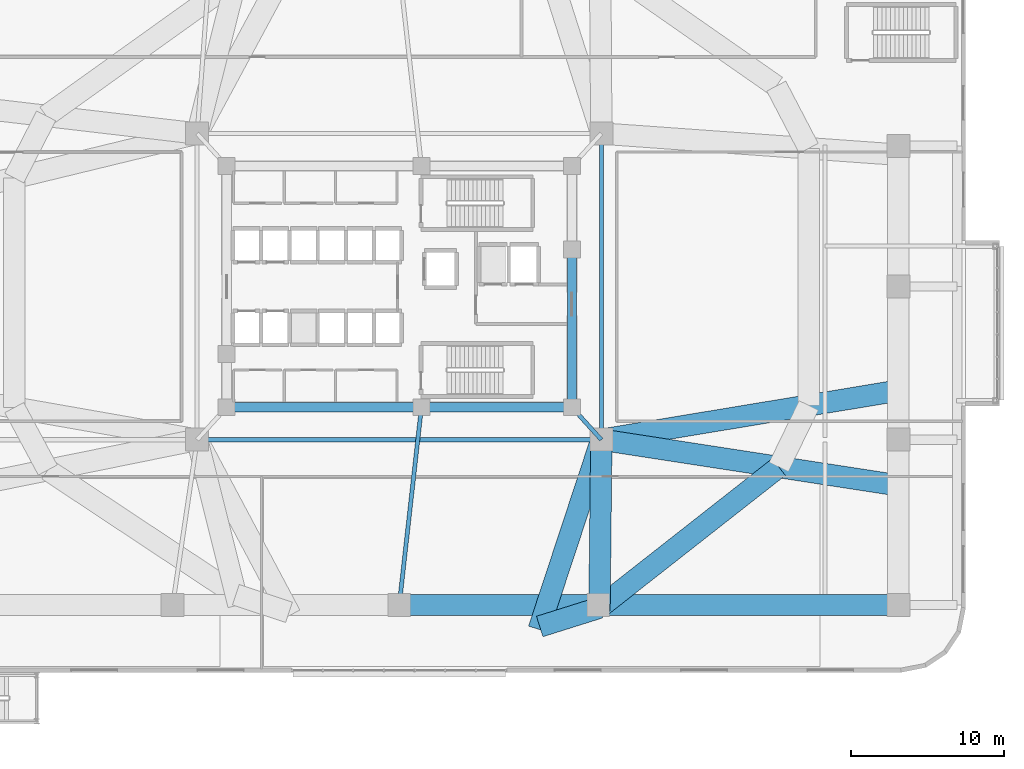
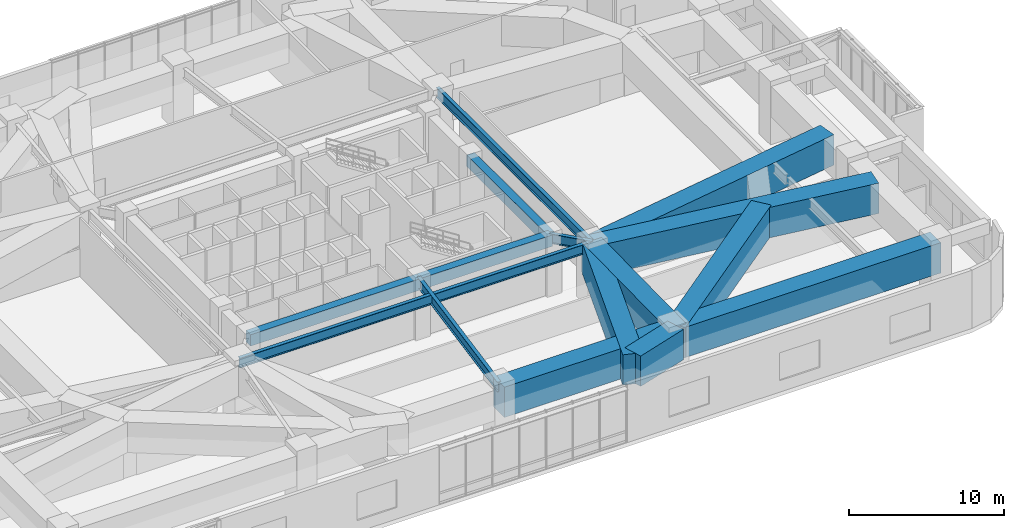
# One storey, part 6 of 26: 15 beams.
"""IFC4 building model written with IfcOpenShell, lengths in metres."""

import ifcopenshell
import ifcopenshell.guid

model = None  # the IFC model being written
_history = None  # IfcOwnerHistory: only IFC2X3 demands one
_inside = {}  # id of a spatial element -> (the spatial element, [elements in it])
_under = {}  # id of a project, library or spatial element -> (it, [spatial elements below it])
_declared = {}  # id of a project -> (the project, [libraries it declares])
_typed = {}  # id of a type object -> (the type object, [elements of that type])
_made_of = {}  # id of a material, layer set ... -> (it, [elements and type objects made of it])


def new_model(schema):
    """Start an empty IFC model of exactly this schema.

    Asked for "IFC4X3", IfcOpenShell would pick the latest addendum, in which some entities
    have other attributes; the version numbers below select the first issue.
    IFC2X3 requires an IfcOwnerHistory on every rooted entity: one is made here for all.
    """
    global model, _history
    if schema == "IFC4X3":
        model = ifcopenshell.file(schema_version=(4, 3, 0, 0))
    else:
        model = ifcopenshell.file(schema=schema)
    _inside.clear()
    _under.clear()
    _declared.clear()
    _typed.clear()
    _made_of.clear()
    _history = None
    if model.schema == "IFC2X3":
        org = make("IfcOrganization", Name="unknown")
        user = make(
            "IfcPersonAndOrganization",
            ThePerson=make("IfcPerson", FamilyName="unknown"),
            TheOrganization=org,
        )
        app = make(
            "IfcApplication",
            ApplicationDeveloper=org,
            Version="unknown",
            ApplicationFullName="unknown",
            ApplicationIdentifier="unknown",
        )
        _history = make(
            "IfcOwnerHistory",
            OwningUser=user,
            OwningApplication=app,
            ChangeAction="ADDED",
            CreationDate=0,
        )
    return model


def make(cls, **values):
    """One entity of the class cls with the attributes given. An attribute that is None is left unset."""
    return model.create_entity(
        cls, **{name: value for name, value in values.items() if value is not None}
    )


def rooted(cls, **values):
    """An entity with a GlobalId (a new one), such as an element, a storey or a relation."""
    return make(cls, GlobalId=ifcopenshell.guid.new(), OwnerHistory=_history, **values)


def si_unit(unit_type, name, prefix=None):
    """IfcSIUnit, for example si_unit("LENGTHUNIT", "METRE", prefix="MILLI")."""
    return make("IfcSIUnit", UnitType=unit_type, Prefix=prefix, Name=name)


def assignment(units):
    """IfcUnitAssignment: the units of a project."""
    return None if units is None else make("IfcUnitAssignment", Units=units)


def point(xyz):
    """IfcCartesianPoint."""
    return None if xyz is None else make("IfcCartesianPoint", Coordinates=xyz)


def direction(xyz):
    """IfcDirection."""
    return None if xyz is None else make("IfcDirection", DirectionRatios=xyz)


def frame(location, z_axis=None, x_axis=None):
    """IfcAxis2Placement3D, a coordinate frame: its origin and axes. An axis left out is left unset."""
    return make(
        "IfcAxis2Placement3D",
        Location=point(location),
        Axis=direction(z_axis),
        RefDirection=direction(x_axis),
    )


def frame_2d(location, x_axis=None):
    """IfcAxis2Placement2D, a coordinate frame in the plane: its origin and x axis."""
    return make(
        "IfcAxis2Placement2D", Location=point(location), RefDirection=direction(x_axis)
    )


def origin():
    """The frame at (0, 0, 0) with its axes left unset."""
    return frame((0.0, 0.0, 0.0))


def origin_2d():
    """The frame at (0, 0) in the plane with its x axis left unset."""
    return frame_2d((0.0, 0.0))


def place(relative_to, where):
    """IfcLocalPlacement: puts the frame where relative to a parent placement (None: the world)."""
    return make(
        "IfcLocalPlacement", PlacementRelTo=relative_to, RelativePlacement=where
    )


def context(
    kind, dimensions, precision=None, world=None, true_north=None, identifier=None
):
    """IfcGeometricRepresentationContext, for example the 3D "Model" context."""
    return make(
        "IfcGeometricRepresentationContext",
        ContextIdentifier=identifier,
        ContextType=kind,
        CoordinateSpaceDimension=dimensions,
        Precision=precision,
        WorldCoordinateSystem=world,
        TrueNorth=true_north,
    )


def subcontext(parent, identifier, kind, view, scale=None):
    """IfcGeometricRepresentationSubContext, for example "Body" below "Model"."""
    return make(
        "IfcGeometricRepresentationSubContext",
        ContextIdentifier=identifier,
        ContextType=kind,
        ParentContext=parent,
        TargetScale=scale,
        TargetView=view,
    )


def project(units=None, contexts=None):
    """IfcProject with its units and contexts."""
    return rooted(
        "IfcProject",
        Name="project",
        RepresentationContexts=contexts,
        UnitsInContext=assignment(units),
    )


def spatial(cls, under=None, at=None, **own):
    """A site, building, storey or space (cls), placed at a placement, below another one or the project."""
    s = rooted(cls, ObjectPlacement=at, **own)
    if under is not None:
        _under.setdefault(under.id(), (under, []))[1].append(s)
    return s


def profile(cls, at=None, kind="AREA", **sizes):
    """A parametric profile (cls). Its sizes go by their IFC names, for example OverallWidth=200.0."""
    return make(cls, ProfileType=kind, Position=at, **sizes)


def rectangle(**sizes):
    """IfcRectangleProfileDef."""
    return profile("IfcRectangleProfileDef", **sizes)


def i_section(**sizes):
    """IfcIShapeProfileDef."""
    return profile("IfcIShapeProfileDef", **sizes)


def extrude(swept, where, along, depth):
    """IfcExtrudedAreaSolid: the profile swept, set in the frame where, extruded along a direction by depth."""
    return make(
        "IfcExtrudedAreaSolid",
        SweptArea=swept,
        Position=where,
        ExtrudedDirection=direction(along),
        Depth=depth,
    )


def shape(context_of_items, identifier, shape_type, items):
    """IfcShapeRepresentation: the items that make up one representation, for example the "Body"."""
    return make(
        "IfcShapeRepresentation",
        ContextOfItems=context_of_items,
        RepresentationIdentifier=identifier,
        RepresentationType=shape_type,
        Items=items,
    )


def material(Name=None, Category=None):
    """IfcMaterial."""
    return make("IfcMaterial", Name=Name, Category=Category)


def material_profile(
    of_material, cross_section, Name=None, Category=None, Priority=None
):
    """IfcMaterialProfile: a cross section and its material."""
    return make(
        "IfcMaterialProfile",
        Name=Name,
        Material=of_material,
        Profile=cross_section,
        Priority=Priority,
        Category=Category,
    )


def profile_set(profiles, Name=None, composite=None):
    """IfcMaterialProfileSet."""
    return make(
        "IfcMaterialProfileSet",
        Name=Name,
        MaterialProfiles=profiles,
        CompositeProfile=composite,
    )


def made_of(thing, what):
    """Note that an element or type object is made of a material, layer set ...; save() writes the relation."""
    if what is not None:
        _made_of.setdefault(what.id(), (what, []))[1].append(thing)
    return thing


def type_object(cls, material=None, **own):
    """A type object (cls), such as IfcWallType, which elements share."""
    return made_of(rooted(cls, **own), material)


def element(
    cls,
    number,
    at=None,
    inside=None,
    cuts=None,
    type_object=None,
    material=None,
    context=None,
    identifier="Body",
    shape_type=None,
    held_by="IfcProductDefinitionShape",
    body=None,
    shapes=None,
    **own,
):
    """One element of the class cls, such as IfcWall. Its Tag is "e" and its number.

    at: its placement. inside: the storey or other place that contains it. cuts: it is an
    opening in that element (IfcRelVoidsElement). A single representation is given by context,
    identifier, shape_type and body (its items); several are given by shapes. held_by: the class
    of the entity that holds the representations. save() writes the other relations.
    """
    e = rooted(cls, Tag="e%d" % number, ObjectPlacement=at, **own)
    if body is not None:
        shapes = [shape(context, identifier, shape_type, body)]
    if shapes is not None:
        e.Representation = make(held_by, Representations=shapes)
    if inside is not None:
        _inside.setdefault(inside.id(), (inside, []))[1].append(e)
    if cuts is not None:
        rooted(
            "IfcRelVoidsElement", RelatingBuildingElement=cuts, RelatedOpeningElement=e
        )
    if type_object is not None:
        _typed.setdefault(type_object.id(), (type_object, []))[1].append(e)
    return made_of(e, material)


def aggregate(whole, parts):
    """IfcRelAggregates: a whole, such as a stair, and the parts it consists of."""
    return rooted("IfcRelAggregates", RelatingObject=whole, RelatedObjects=parts)


def save(model, path):
    """Write the relations noted so far, then the file.

    IfcRelAggregates (storeys below a building ...), IfcRelContainedInSpatialStructure (elements
    in a storey), IfcRelDefinesByType, IfcRelAssociatesMaterial and IfcRelDeclares: one each for
    every whole, place, type object, material and project.
    """
    for whole, parts in _under.values():
        aggregate(whole, parts)
    for where, things in _inside.values():
        rooted(
            "IfcRelContainedInSpatialStructure",
            RelatedElements=things,
            RelatingStructure=where,
        )
    for kind, things in _typed.values():
        rooted("IfcRelDefinesByType", RelatedObjects=things, RelatingType=kind)
    for what, things in _made_of.values():
        rooted("IfcRelAssociatesMaterial", RelatedObjects=things, RelatingMaterial=what)
    for by, libraries in _declared.values():
        rooted("IfcRelDeclares", RelatingContext=by, RelatedDefinitions=libraries)
    model.write(path)


model = new_model("IFC4")

# Units and contexts
model_context = context("Model", 3, precision=1e-05, world=origin(), true_north=direction((0.0, 1.0)))
body_context = subcontext(model_context, "Body", "Model", "MODEL_VIEW")
ifc_project = project(units=[si_unit("LENGTHUNIT", "METRE"), si_unit("AREAUNIT", "SQUARE_METRE"), si_unit("VOLUMEUNIT", "CUBIC_METRE"), si_unit("PLANEANGLEUNIT", "RADIAN"), si_unit("MASSUNIT", "GRAM", prefix="KILO")], contexts=[model_context])

# Site, building, storey
site_placement = place(None, origin())
site = spatial("IfcSite", under=ifc_project, at=site_placement, CompositionType="ELEMENT")
building_placement = place(site_placement, origin())
building = spatial("IfcBuilding", under=site, at=building_placement, Name="Zulverin Broadcast Headquarters", CompositionType="ELEMENT")
storey_placement = place(building_placement, frame((0.0, 0.0, 20.0)))
storey = spatial("IfcBuildingStorey", under=building, at=storey_placement, Name="L04", CompositionType="ELEMENT", Elevation=20.0)

# Beams
ifc_material_1 = material(Name="Concrete C60/75", Category="concrete")
ifc_material_profile_1 = material_profile(ifc_material_1, rectangle(XDim=0.60009765625, YDim=0.89990234375, at=origin_2d()), Name="Concrete C60/75", Category="concrete")
ifc_profile_set_1 = profile_set([ifc_material_profile_1], Name="Concrete C60/75")
beam_type_1 = type_object("IfcBeamType", Name="BM-CB-600x900", PredefinedType="LINTEL", material=ifc_profile_set_1)
beam_1_placement = place(storey_placement, frame((25.72509765625, 17.324951171875, 4.14990234375), z_axis=(1.0, 0.0, 0.0), x_axis=(0.0, 1.0, 0.0)))
element("IfcBeam", 1, at=beam_1_placement, inside=storey, type_object=beam_type_1, Name="L04 Core Coupling Girder K01-K02", PredefinedType="LINTEL", context=body_context, shape_type="SweptSolid", body=[
    extrude(rectangle(XDim=0.60009765625, YDim=0.89990234375, at=origin_2d()), origin(), (0.0, 0.0, 1.0), 12.724853515625),
])
beam_2_placement = place(storey_placement, frame((38.449951171875, 17.324951171875, 4.14990234375), z_axis=(1.0, 0.0, 0.0), x_axis=(0.0, 1.0, 0.0)))
element("IfcBeam", 2, at=beam_2_placement, inside=storey, type_object=beam_type_1, Name="L04 Core Coupling Girder K02-K03", PredefinedType="LINTEL", context=body_context, shape_type="SweptSolid", body=[
    extrude(rectangle(XDim=0.60009765625, YDim=0.89990234375, at=origin_2d()), origin(), (0.0, 0.0, 1.0), 9.824951171875),
])
beam_3_placement = place(storey_placement, frame((48.27490234375, 17.324951171875, 4.14990234375), z_axis=(0.0, 1.0, 0.0), x_axis=(-1.0, 0.0, 0.0)))
element("IfcBeam", 3, at=beam_3_placement, inside=storey, type_object=beam_type_1, Name="L04 Core Coupling Girder K03-K04", PredefinedType="LINTEL", context=body_context, shape_type="SweptSolid", body=[
    extrude(rectangle(XDim=0.60009765625, YDim=0.89990234375, at=origin_2d()), origin(), (0.0, 0.0, 1.0), 10.295166015625),
])
ifc_material_profile_2 = material_profile(ifc_material_1, rectangle(XDim=1.39990234375, YDim=2.39990234375, at=origin_2d()), Name="Concrete C60/75", Category="concrete")
ifc_profile_set_2 = profile_set([ifc_material_profile_2], Name="Concrete C60/75")
beam_type_2 = type_object("IfcBeamType", Name="BM-TG-1400x2400", PredefinedType="USERDEFINED", material=ifc_profile_set_2)
beam_4_placement = place(storey_placement, frame((37.0, 4.39990234375, 3.39990234375), z_axis=(1.0, 0.0, 0.0), x_axis=(0.0, 1.0, 0.0)))
element("IfcBeam", 4, at=beam_4_placement, inside=storey, type_object=beam_type_2, Name="L04 Podium Transfer Ring Girder P03-P04", ObjectType="TRANSFER GIRDER", PredefinedType="USERDEFINED", context=body_context, shape_type="SweptSolid", body=[
    extrude(rectangle(XDim=1.39990234375, YDim=2.39990234375, at=origin_2d()), origin(), (0.0, 0.0, 1.0), 13.0),
])
beam_5_placement = place(storey_placement, frame((50.0, 4.39990234375, 3.39990234375), z_axis=(1.0, 0.0, 0.0), x_axis=(0.0, 1.0, 0.0)))
element("IfcBeam", 5, at=beam_5_placement, inside=storey, type_object=beam_type_2, Name="L04 Podium Transfer Ring Girder P04-P05", ObjectType="TRANSFER GIRDER", PredefinedType="USERDEFINED", context=body_context, shape_type="SweptSolid", body=[
    extrude(rectangle(XDim=1.39990234375, YDim=2.39990234375, at=origin_2d()), origin(), (0.0, 0.0, 1.0), 19.60009765625),
])
beam_6_placement = place(storey_placement, frame((50.199951171875, 15.199951171875, 3.39990234375), z_axis=(-0.313262549291, -0.949666560016, 0.0), x_axis=(0.949666560016, -0.313262549291, 0.0)))
element("IfcBeam", 6, at=beam_6_placement, inside=storey, type_object=beam_type_2, Name="L05 Tower Base Continuous Transfer Girder TG-02", ObjectType="TRANSFER GIRDER", PredefinedType="USERDEFINED", context=body_context, shape_type="SweptSolid", body=[
    extrude(rectangle(XDim=1.39990234375, YDim=2.39990234375, at=origin_2d()), origin(), (0.0, 0.0, 1.0), 13.048583984375),
])
beam_7_placement = place(storey_placement, frame((46.175048828125, 2.997802734375, 3.39990234375), z_axis=(0.954004438448, 0.299792480595, 0.0), x_axis=(-0.299792480595, 0.954004438448, 0.0)))
element("IfcBeam", 7, at=beam_7_placement, inside=storey, type_object=beam_type_2, Name="L05 Tower Base Transfer Ring Girder TGR-02", ObjectType="TRANSFER GIRDER", PredefinedType="USERDEFINED", context=body_context, shape_type="SweptSolid", body=[
    extrude(rectangle(XDim=1.39990234375, YDim=2.39990234375, at=origin_2d()), origin(), (0.0, 0.0, 1.0), 4.09375),
])
beam_8_placement = place(storey_placement, frame((50.199951171875, 15.199951171875, 3.39990234375), z_axis=(-0.01087937008, -0.999940817902, 0.0), x_axis=(0.999940817902, -0.01087937008, 0.0)))
element("IfcBeam", 8, at=beam_8_placement, inside=storey, type_object=beam_type_2, Name="L05 Tower Base Continuous Transfer Girder TG-03", ObjectType="TRANSFER GIRDER", PredefinedType="USERDEFINED", context=body_context, shape_type="SweptSolid", body=[
    extrude(rectangle(XDim=1.39990234375, YDim=2.39990234375, at=origin_2d()), origin(), (0.0, 0.0, 1.0), 11.175537109375),
])
beam_9_placement = place(storey_placement, frame((50.08056640625, 4.22509765625, 3.39990234375), z_axis=(0.786691476208, 0.617346354376, 0.0), x_axis=(-0.617346354376, 0.786691476208, 0.0)))
element("IfcBeam", 9, at=beam_9_placement, inside=storey, type_object=beam_type_2, Name="L05 Tower Base Transfer Ring Girder TGR-03", ObjectType="TRANSFER GIRDER", PredefinedType="USERDEFINED", context=body_context, shape_type="SweptSolid", body=[
    extrude(rectangle(XDim=1.39990234375, YDim=2.39990234375, at=origin_2d()), origin(), (0.0, 0.0, 1.0), 14.88818359375),
])
beam_10_placement = place(storey_placement, frame((50.199951171875, 15.199951171875, 3.39990234375), z_axis=(0.988369972068, -0.152068400117, 0.0), x_axis=(0.152068400117, 0.988369972068, 0.0)))
element("IfcBeam", 10, at=beam_10_placement, inside=storey, type_object=beam_type_2, Name="L05 Tower Base Continuous Transfer Girder TG-04", ObjectType="TRANSFER GIRDER", PredefinedType="USERDEFINED", context=body_context, shape_type="SweptSolid", body=[
    extrude(rectangle(XDim=1.39990234375, YDim=2.39990234375, at=origin_2d()), origin(), (0.0, 0.0, 1.0), 19.62841796875),
])
beam_11_placement = place(storey_placement, frame((50.199951171875, 15.199951171875, 3.39990234375), z_axis=(0.98661417082, 0.16307200231, 0.0), x_axis=(-0.16307200231, 0.98661417082, 0.0)))
element("IfcBeam", 11, at=beam_11_placement, inside=storey, type_object=beam_type_2, Name="L05 Tower Base Continuous Transfer Girder TG-05", ObjectType="TRANSFER GIRDER", PredefinedType="USERDEFINED", context=body_context, shape_type="SweptSolid", body=[
    extrude(rectangle(XDim=1.39990234375, YDim=2.39990234375, at=origin_2d()), origin(), (0.0, 0.0, 1.0), 19.663330078125),
])
ifc_material_2 = material(Name="Structural steel S355JR", Category="steel")
ifc_material_profile_3 = material_profile(ifc_material_2, i_section(OverallWidth=0.26806640625, OverallDepth=0.769775390625, WebThickness=0.015625, FlangeThickness=0.025390625, at=origin_2d()), Name="Structural steel S355JR", Category="steel")
ifc_profile_set_3 = profile_set([ifc_material_profile_3], Name="Structural steel S355JR")
beam_type_3 = type_object("IfcBeamType", Name="BM-UB-762", PredefinedType="BEAM", material=ifc_profile_set_3)
beam_12_placement = place(storey_placement, frame((50.199951171875, 15.199951171875, 4.215087890625), z_axis=(-0.671379160881, 0.741114041383, 0.0), x_axis=(-0.741114041383, -0.671379160881, 0.0)))
element("IfcBeam", 12, at=beam_12_placement, inside=storey, type_object=beam_type_3, Name="L04 Podium Primary Girder M02-K03", PredefinedType="BEAM", context=body_context, shape_type="SweptSolid", body=[
    extrude(i_section(OverallWidth=0.26806640625, OverallDepth=0.769775390625, WebThickness=0.015625, FlangeThickness=0.025390625, at=origin_2d()), origin(), (0.0, 0.0, 1.0), 2.8671875),
])
beam_13_placement = place(storey_placement, frame((23.800048828125, 15.199951171875, 4.215087890625), z_axis=(1.0, 0.0, 0.0), x_axis=(0.0, 1.0, 0.0)))
element("IfcBeam", 13, at=beam_13_placement, inside=storey, type_object=beam_type_3, Name="L04 Podium Primary Girder M01-M02", PredefinedType="BEAM", context=body_context, shape_type="SweptSolid", body=[
    extrude(i_section(OverallWidth=0.26806640625, OverallDepth=0.769775390625, WebThickness=0.015625, FlangeThickness=0.025390625, at=origin_2d()), origin(), (0.0, 0.0, 1.0), 26.39990234375),
])
beam_14_placement = place(storey_placement, frame((50.199951171875, 15.199951171875, 4.215087890625), z_axis=(0.0, 1.0, 0.0), x_axis=(-1.0, 0.0, 0.0)))
element("IfcBeam", 14, at=beam_14_placement, inside=storey, type_object=beam_type_3, Name="L04 Podium Primary Girder M02-M03", PredefinedType="BEAM", context=body_context, shape_type="SweptSolid", body=[
    extrude(i_section(OverallWidth=0.26806640625, OverallDepth=0.769775390625, WebThickness=0.015625, FlangeThickness=0.025390625, at=origin_2d()), origin(), (0.0, 0.0, 1.0), 20.0),
])
beam_15_placement = place(storey_placement, frame((37.0, 4.39990234375, 4.215087890625), z_axis=(0.111482194079, 0.993766431514, 0.0), x_axis=(-0.993766431514, 0.111482194079, 0.0)))
element("IfcBeam", 15, at=beam_15_placement, inside=storey, type_object=beam_type_3, Name="L04 Podium Primary Girder P03-K02", PredefinedType="BEAM", context=body_context, shape_type="SweptSolid", body=[
    extrude(i_section(OverallWidth=0.26806640625, OverallDepth=0.769775390625, WebThickness=0.015625, FlangeThickness=0.025390625, at=origin_2d()), origin(), (0.0, 0.0, 1.0), 13.006103515625),
])

save(model, "model.ifc")
